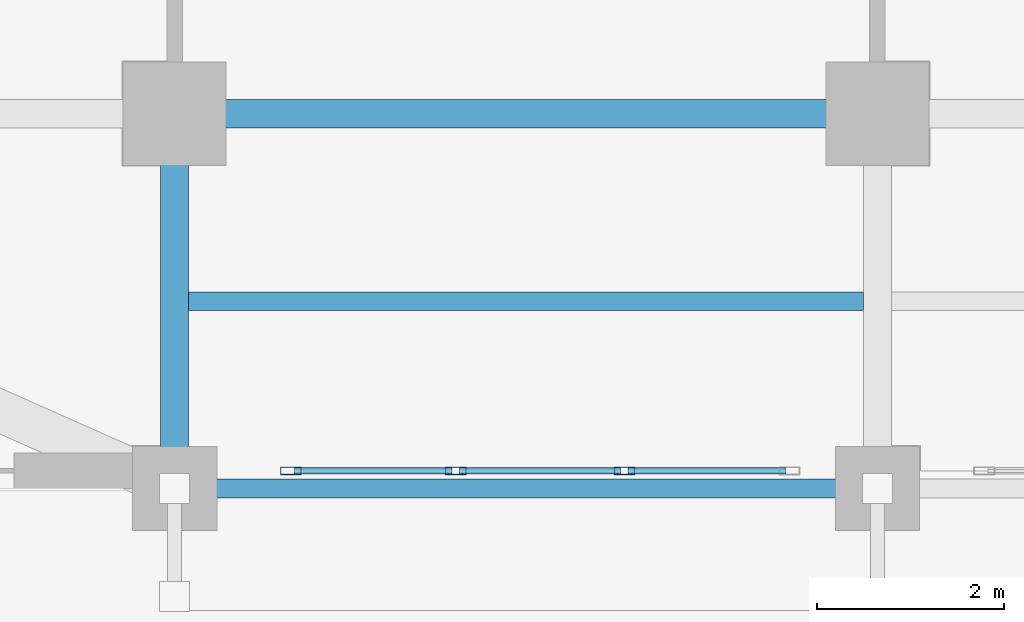
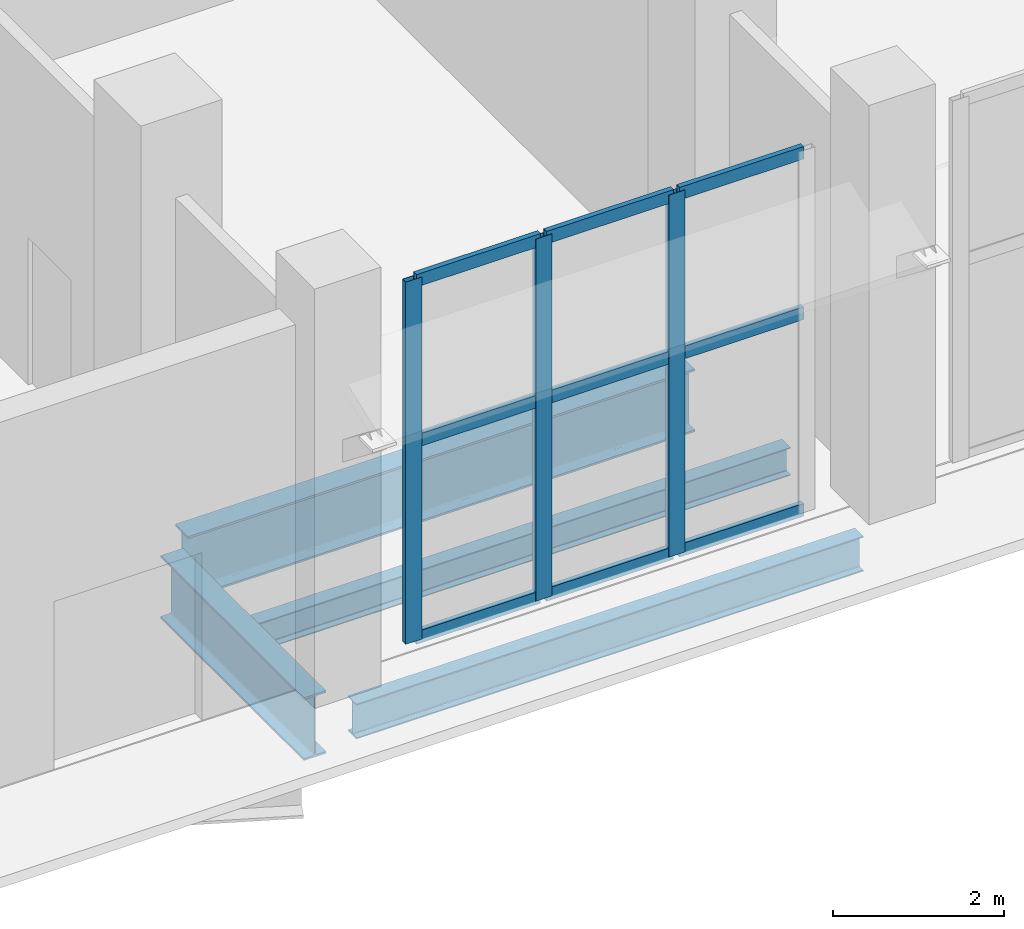
# One storey, part 2 of 19: 12 members, 4 beams, 1 element without a shape of its own.
"""IFC4 building model written with IfcOpenShell, lengths in metres."""

from ifc_helpers import new_model, si_unit, direction, frame, origin, origin_2d, place, context, subcontext, project, spatial, hollow_rectangle, i_section, extrude, material, layer, layer_set, material_profile, profile_set, type_object, element, aggregate, save


model = new_model("IFC4")

# Units and contexts
model_context = context("Model", 3, precision=1e-05, world=origin(), true_north=direction((0.0, 1.0)))
body_context = subcontext(model_context, "Body", "Model", "MODEL_VIEW")
ifc_project = project(units=[si_unit("LENGTHUNIT", "METRE"), si_unit("AREAUNIT", "SQUARE_METRE"), si_unit("VOLUMEUNIT", "CUBIC_METRE"), si_unit("PLANEANGLEUNIT", "RADIAN"), si_unit("MASSUNIT", "GRAM", prefix="KILO")], contexts=[model_context])

# Site, building, storey
site_placement = place(None, origin())
site = spatial("IfcSite", under=ifc_project, at=site_placement, CompositionType="ELEMENT")
building_placement = place(site_placement, origin())
building = spatial("IfcBuilding", under=site, at=building_placement, Name="Qianrong Seaharbour Tower", CompositionType="ELEMENT")
storey_placement = place(building_placement, origin())
storey = spatial("IfcBuildingStorey", under=building, at=storey_placement, Name="L01", CompositionType="ELEMENT", Elevation=0.0)

# Beams
ifc_material_1 = material(Name="Structural steel SN490B", Category="steel")
ifc_material_profile_1 = material_profile(ifc_material_1, i_section(OverallWidth=0.300048828125, OverallDepth=0.89990234375, WebThickness=0.01611328125, FlangeThickness=0.028076171875, FilletRadius=0.028076171875, at=origin_2d()), Name="H900x300x16x28")
ifc_profile_set_1 = profile_set([ifc_material_profile_1], Name="Structural steel SN490B")
beam_type_1 = type_object("IfcBeamType", Name="BM-G-900", PredefinedType="BEAM", material=ifc_profile_set_1)
beam_1_placement = place(storey_placement, frame((9.320068359375, 4.0, -0.8701171875), z_axis=(1.0, 0.0, 0.0), x_axis=(0.0, 1.0, 0.0)))
element("IfcBeam", 1, at=beam_1_placement, inside=storey, type_object=beam_type_1, Name="L01 Primary Girder GB G2-G3", PredefinedType="BEAM", context=body_context, shape_type="SweptSolid", body=[
    extrude(i_section(OverallWidth=0.300048828125, OverallDepth=0.89990234375, WebThickness=0.01611328125, FlangeThickness=0.028076171875, FilletRadius=0.028076171875, at=origin_2d()), origin(), (0.0, 0.0, 1.0), 6.85986328125),
])
beam_2_placement = place(storey_placement, frame((9.0, 0.320068359375, -0.8701171875), z_axis=(0.0, 1.0, 0.0), x_axis=(-1.0, 0.0, 0.0)))
element("IfcBeam", 2, at=beam_2_placement, inside=storey, type_object=beam_type_1, Name="L01 Primary Girder G2 GA-GB", PredefinedType="BEAM", context=body_context, shape_type="SweptSolid", body=[
    extrude(i_section(OverallWidth=0.300048828125, OverallDepth=0.89990234375, WebThickness=0.01611328125, FlangeThickness=0.028076171875, FilletRadius=0.028076171875, at=origin_2d()), origin(), (0.0, 0.0, 1.0), 3.35986328125),
])
ifc_material_2 = material(Name="Structural steel SN400B", Category="steel")
ifc_material_profile_2 = material_profile(ifc_material_2, i_section(OverallWidth=0.199951171875, OverallDepth=0.39990234375, WebThickness=0.008056640625, FlangeThickness=0.012939453125, FilletRadius=0.01611328125, at=origin_2d()), Name="H400x200x8x13")
ifc_profile_set_2 = profile_set([ifc_material_profile_2], Name="Structural steel SN400B")
beam_type_2 = type_object("IfcBeamType", Name="BM-J-400", PredefinedType="JOIST", material=ifc_profile_set_2)
beam_3_placement = place(storey_placement, frame((9.14990234375, 2.0, -0.6201171875), z_axis=(1.0, 0.0, 0.0), x_axis=(0.0, 1.0, 0.0)))
element("IfcBeam", 3, at=beam_3_placement, inside=storey, type_object=beam_type_2, Name="L01 Composite Floor Joist G2-G3/GA-GB", PredefinedType="JOIST", context=body_context, shape_type="SweptSolid", body=[
    extrude(i_section(OverallWidth=0.199951171875, OverallDepth=0.39990234375, WebThickness=0.008056640625, FlangeThickness=0.012939453125, FilletRadius=0.01611328125, at=origin_2d()), origin(), (0.0, 0.0, 1.0), 7.2001953125),
])
ifc_material_profile_3 = material_profile(ifc_material_1, i_section(OverallWidth=0.199951171875, OverallDepth=0.5, WebThickness=0.010009765625, FlangeThickness=0.01611328125, FilletRadius=0.02001953125, at=origin_2d()), Name="H500x200x10x16")
ifc_profile_set_3 = profile_set([ifc_material_profile_3], Name="Structural steel SN490B")
beam_type_3 = type_object("IfcBeamType", Name="BM-SP-500", PredefinedType="SPANDREL", material=ifc_profile_set_3)
beam_4_placement = place(storey_placement, frame((9.320068359375, 0.0, -0.669921875), z_axis=(1.0, 0.0, 0.0), x_axis=(0.0, 1.0, 0.0)))
element("IfcBeam", 4, at=beam_4_placement, inside=storey, type_object=beam_type_3, Name="L01 Spandrel Girder GA G2-G3", PredefinedType="SPANDREL", context=body_context, shape_type="SweptSolid", body=[
    extrude(i_section(OverallWidth=0.199951171875, OverallDepth=0.5, WebThickness=0.010009765625, FlangeThickness=0.01611328125, FilletRadius=0.02001953125, at=origin_2d()), origin(), (0.0, 0.0, 1.0), 6.85986328125),
])

# Curtain wall, members
ifc_material_3 = material(Name="Anodised aluminium 6063-T6 and laminated low-e glass", Category="aluminium")
ifc_layer = layer(ifc_material_3, 0.219970703125)
ifc_layer_set = layer_set([ifc_layer], Name="Anodised aluminium 6063-T6 and laminated low-e glass")
curtain_wall_type = type_object("IfcCurtainWallType", Name="CW-SYS-1", PredefinedType="NOTDEFINED", material=ifc_layer_set)
curtain_wall_placement = place(storey_placement, origin())
curtain_wall = element("IfcCurtainWall", 5, at=curtain_wall_placement, inside=storey, type_object=curtain_wall_type, Name="L01 Waterfront Colonnade Curtain Wall Bay 1", PredefinedType="NOTDEFINED")
ifc_material_4 = material(Name="Extruded aluminium 6063-T6", Category="aluminium")
ifc_material_profile_4 = material_profile(ifc_material_4, hollow_rectangle(XDim=0.080078125, YDim=0.219970703125, WallThickness=0.0048828125, at=origin_2d()), Name="ALU-MUL-220x80x5")
ifc_profile_set_4 = profile_set([ifc_material_profile_4], Name="Extruded aluminium 6063-T6")
member_type_1 = type_object("IfcMemberType", Name="CW-MUL-220", PredefinedType="MULLION", material=ifc_profile_set_4)
member_1_placement = place(storey_placement, frame((13.800048828125, 0.18994140625, 0.0), z_axis=(0.0, 0.0, 1.0), x_axis=(0.0, -1.0, 0.0)))
member_1 = element("IfcMember", 6, at=member_1_placement, type_object=member_type_1, Name="CW-1 mullion 2", PredefinedType="MULLION", context=body_context, shape_type="SweptSolid", body=[
    extrude(hollow_rectangle(XDim=0.080078125, YDim=0.219970703125, WallThickness=0.0048828125, at=origin_2d()), origin(), (0.0, 0.0, 1.0), 5.179931640625),
])
member_2_placement = place(storey_placement, frame((12.0, 0.18994140625, 0.0), z_axis=(0.0, 0.0, 1.0), x_axis=(0.0, -1.0, 0.0)))
member_2 = element("IfcMember", 7, at=member_2_placement, type_object=member_type_1, Name="CW-1 mullion 3", PredefinedType="MULLION", context=body_context, shape_type="SweptSolid", body=[
    extrude(hollow_rectangle(XDim=0.080078125, YDim=0.219970703125, WallThickness=0.0048828125, at=origin_2d()), origin(), (0.0, 0.0, 1.0), 5.179931640625),
])
member_3_placement = place(storey_placement, frame((10.239990234375, 0.18994140625, 0.0), z_axis=(0.0, 0.0, 1.0), x_axis=(0.0, -1.0, 0.0)))
member_3 = element("IfcMember", 8, at=member_3_placement, type_object=member_type_1, Name="CW-1 mullion 4", PredefinedType="MULLION", context=body_context, shape_type="SweptSolid", body=[
    extrude(hollow_rectangle(XDim=0.080078125, YDim=0.219970703125, WallThickness=0.0048828125, at=origin_2d()), origin(), (0.0, 0.0, 1.0), 5.179931640625),
])
ifc_material_profile_5 = material_profile(ifc_material_4, hollow_rectangle(XDim=0.070068359375, YDim=0.179931640625, WallThickness=0.00390625, at=origin_2d()), Name="ALU-TRN-180x70x4")
ifc_profile_set_5 = profile_set([ifc_material_profile_5], Name="Extruded aluminium 6063-T6")
member_type_2 = type_object("IfcMemberType", Name="CW-TRN-180", PredefinedType="USERDEFINED", material=ifc_profile_set_5)
member_4_placement = place(storey_placement, frame((15.52001953125, 0.18994140625, 0.034912109375), z_axis=(-1.0, 0.0, 0.0), x_axis=(0.0, -1.0, 0.0)))
member_4 = element("IfcMember", 9, at=member_4_placement, type_object=member_type_2, Name="CW-1 transom 1.1", ObjectType="TRANSOM", PredefinedType="USERDEFINED", context=body_context, shape_type="SweptSolid", body=[
    extrude(hollow_rectangle(XDim=0.070068359375, YDim=0.179931640625, WallThickness=0.00390625, at=origin_2d()), origin(), (0.0, 0.0, 1.0), 1.679931640625),
])
member_5_placement = place(storey_placement, frame((15.52001953125, 0.18994140625, 2.84912109375), z_axis=(-1.0, 0.0, 0.0), x_axis=(0.0, -1.0, 0.0)))
member_5 = element("IfcMember", 10, at=member_5_placement, type_object=member_type_2, Name="CW-1 transom 1.2", ObjectType="TRANSOM", PredefinedType="USERDEFINED", context=body_context, shape_type="SweptSolid", body=[
    extrude(hollow_rectangle(XDim=0.070068359375, YDim=0.179931640625, WallThickness=0.00390625, at=origin_2d()), origin(), (0.0, 0.0, 1.0), 1.679931640625),
])
member_6_placement = place(storey_placement, frame((15.52001953125, 0.18994140625, 5.14501953125), z_axis=(-1.0, 0.0, 0.0), x_axis=(0.0, -1.0, 0.0)))
member_6 = element("IfcMember", 11, at=member_6_placement, type_object=member_type_2, Name="CW-1 transom 1.3", ObjectType="TRANSOM", PredefinedType="USERDEFINED", context=body_context, shape_type="SweptSolid", body=[
    extrude(hollow_rectangle(XDim=0.070068359375, YDim=0.179931640625, WallThickness=0.00390625, at=origin_2d()), origin(), (0.0, 0.0, 1.0), 1.679931640625),
])
member_7_placement = place(storey_placement, frame((13.760009765625, 0.18994140625, 0.034912109375), z_axis=(-1.0, 0.0, 0.0), x_axis=(0.0, -1.0, 0.0)))
member_7 = element("IfcMember", 12, at=member_7_placement, type_object=member_type_2, Name="CW-1 transom 2.1", ObjectType="TRANSOM", PredefinedType="USERDEFINED", context=body_context, shape_type="SweptSolid", body=[
    extrude(hollow_rectangle(XDim=0.070068359375, YDim=0.179931640625, WallThickness=0.00390625, at=origin_2d()), origin(), (0.0, 0.0, 1.0), 1.719970703125),
])
member_8_placement = place(storey_placement, frame((13.760009765625, 0.18994140625, 2.84912109375), z_axis=(-1.0, 0.0, 0.0), x_axis=(0.0, -1.0, 0.0)))
member_8 = element("IfcMember", 13, at=member_8_placement, type_object=member_type_2, Name="CW-1 transom 2.2", ObjectType="TRANSOM", PredefinedType="USERDEFINED", context=body_context, shape_type="SweptSolid", body=[
    extrude(hollow_rectangle(XDim=0.070068359375, YDim=0.179931640625, WallThickness=0.00390625, at=origin_2d()), origin(), (0.0, 0.0, 1.0), 1.719970703125),
])
member_9_placement = place(storey_placement, frame((13.760009765625, 0.18994140625, 5.14501953125), z_axis=(-1.0, 0.0, 0.0), x_axis=(0.0, -1.0, 0.0)))
member_9 = element("IfcMember", 14, at=member_9_placement, type_object=member_type_2, Name="CW-1 transom 2.3", ObjectType="TRANSOM", PredefinedType="USERDEFINED", context=body_context, shape_type="SweptSolid", body=[
    extrude(hollow_rectangle(XDim=0.070068359375, YDim=0.179931640625, WallThickness=0.00390625, at=origin_2d()), origin(), (0.0, 0.0, 1.0), 1.719970703125),
])
member_10_placement = place(storey_placement, frame((11.9599609375, 0.18994140625, 0.034912109375), z_axis=(-1.0, 0.0, 0.0), x_axis=(0.0, -1.0, 0.0)))
member_10 = element("IfcMember", 15, at=member_10_placement, type_object=member_type_2, Name="CW-1 transom 3.1", ObjectType="TRANSOM", PredefinedType="USERDEFINED", context=body_context, shape_type="SweptSolid", body=[
    extrude(hollow_rectangle(XDim=0.070068359375, YDim=0.179931640625, WallThickness=0.00390625, at=origin_2d()), origin(), (0.0, 0.0, 1.0), 1.679931640625),
])
member_11_placement = place(storey_placement, frame((11.9599609375, 0.18994140625, 2.84912109375), z_axis=(-1.0, 0.0, 0.0), x_axis=(0.0, -1.0, 0.0)))
member_11 = element("IfcMember", 16, at=member_11_placement, type_object=member_type_2, Name="CW-1 transom 3.2", ObjectType="TRANSOM", PredefinedType="USERDEFINED", context=body_context, shape_type="SweptSolid", body=[
    extrude(hollow_rectangle(XDim=0.070068359375, YDim=0.179931640625, WallThickness=0.00390625, at=origin_2d()), origin(), (0.0, 0.0, 1.0), 1.679931640625),
])
member_12_placement = place(storey_placement, frame((11.9599609375, 0.18994140625, 5.14501953125), z_axis=(-1.0, 0.0, 0.0), x_axis=(0.0, -1.0, 0.0)))
member_12 = element("IfcMember", 17, at=member_12_placement, type_object=member_type_2, Name="CW-1 transom 3.3", ObjectType="TRANSOM", PredefinedType="USERDEFINED", context=body_context, shape_type="SweptSolid", body=[
    extrude(hollow_rectangle(XDim=0.070068359375, YDim=0.179931640625, WallThickness=0.00390625, at=origin_2d()), origin(), (0.0, 0.0, 1.0), 1.679931640625),
])
aggregate(curtain_wall, [member_1, member_2, member_3, member_4, member_5, member_6, member_7, member_8, member_9, member_10, member_11, member_12])

save(model, "model.ifc")
